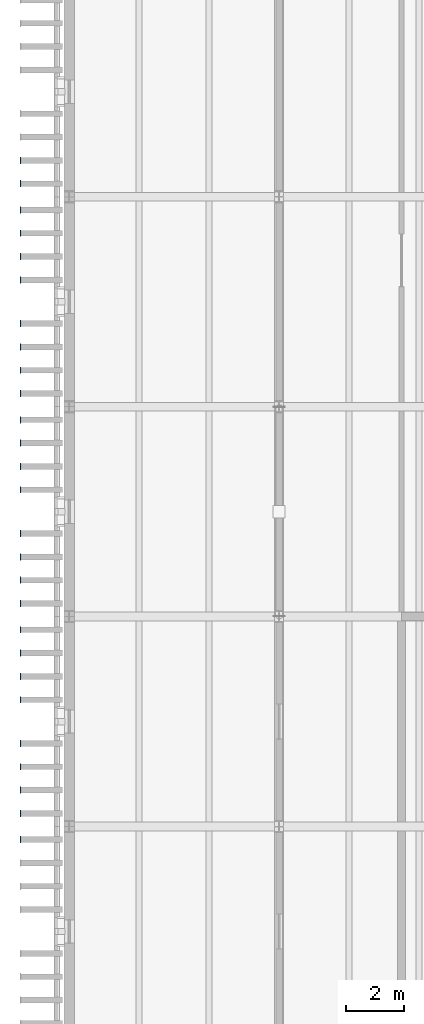
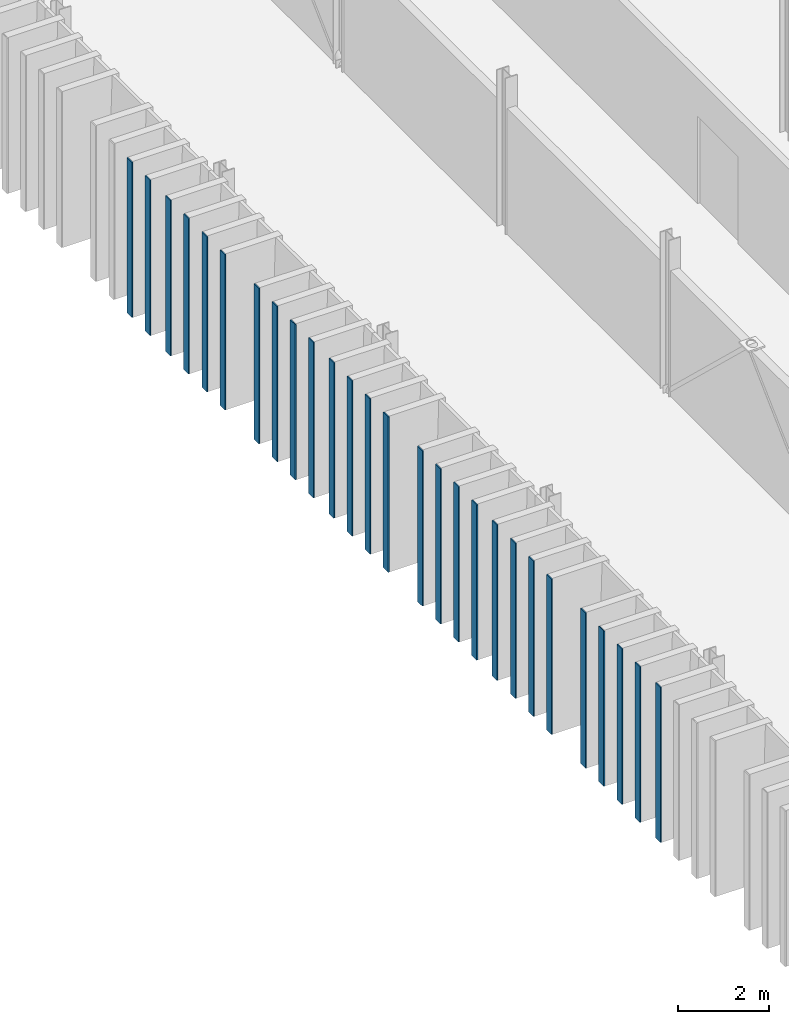
# One storey, part 26 of 66: 27 plates.
"""IFC4 building model written with IfcOpenShell, lengths in metres."""

from ifc_helpers import new_model, si_unit, direction, frame, origin, origin_2d, place, context, subcontext, project, spatial, rectangle, extrude, material, layer, layer_set, type_object, element, save


model = new_model("IFC4")

# Units and contexts
model_context = context("Model", 3, precision=1e-05, world=origin(), true_north=direction((0.0, 1.0)))
body_context = subcontext(model_context, "Body", "Model", "MODEL_VIEW")
ifc_project = project(units=[si_unit("LENGTHUNIT", "METRE"), si_unit("AREAUNIT", "SQUARE_METRE"), si_unit("VOLUMEUNIT", "CUBIC_METRE"), si_unit("PLANEANGLEUNIT", "RADIAN"), si_unit("MASSUNIT", "GRAM", prefix="KILO")], contexts=[model_context])

# Site, building, storey
site_placement = place(None, origin())
site = spatial("IfcSite", under=ifc_project, at=site_placement, CompositionType="ELEMENT")
building_placement = place(site_placement, origin())
building = spatial("IfcBuilding", under=site, at=building_placement, Name="Narikvali Park Central Library", CompositionType="ELEMENT")
storey_placement = place(building_placement, frame((0.0, 0.0, 18.60009765625)))
storey = spatial("IfcBuildingStorey", under=building, at=storey_placement, Name="L04", CompositionType="ELEMENT", Elevation=18.60009765625)

# Plates
ifc_material = material(Name="Anodised Bronze Aluminium", Category="aluminium")
ifc_layer = layer(ifc_material, 0.028076171875, Name="Anodised Bronze Aluminium")
ifc_layer_set = layer_set([ifc_layer], Name="Anodised Bronze Aluminium")
plate_type = type_object("IfcPlateType", Name="Vertical Brick Fin Bronze Bullnose Cap 28", PredefinedType="SHEET", material=ifc_layer_set)
for number, where, z_axis, x_axis, name in (
    (1, (-1.672119140625, 64.35009765625, 0.009765625), (0.0, 0.0, 1.0), (1.0, 0.0, 0.0), "West Stacks Fin Bullnose Trim 215"),
    (2, (-1.672119140625, 65.25, 0.009765625), (0.0, 0.0, 1.0), (1.0, 0.0, 0.0), "West Stacks Fin Bullnose Trim 221"),
    (3, (-1.672119140625, 66.050048828125, 0.009765625), (0.0, 0.0, 1.0), (1.0, 0.0, 0.0), "West Stacks Fin Bullnose Trim 227"),
    (4, (-1.672119140625, 66.85009765625, 0.009765625), (0.0, 0.0, 1.0), (1.0, 0.0, 0.0), "West Stacks Fin Bullnose Trim 233"),
    (5, (-1.672119140625, 67.64990234375, 0.009765625), (0.0, 0.0, 1.0), (1.0, 0.0, 0.0), "West Stacks Fin Bullnose Trim 239"),
    (6, (-1.672119140625, 69.14990234375, 0.009765625), (0.0, 0.0, 1.0), (1.0, 0.0, 0.0), "West Stacks Fin Bullnose Trim 245"),
    (7, (-1.672119140625, 69.949951171875, 0.009765625), (0.0, 0.0, 1.0), (1.0, 0.0, 0.0), "West Stacks Fin Bullnose Trim 251"),
    (8, (-1.672119140625, 70.75, 0.009765625), (0.0, 0.0, 1.0), (1.0, 0.0, 0.0), "West Stacks Fin Bullnose Trim 257"),
    (9, (-1.672119140625, 71.550048828125, 0.009765625), (0.0, 0.0, 1.0), (1.0, 0.0, 0.0), "West Stacks Fin Bullnose Trim 263"),
    (10, (-1.672119140625, 72.449951171875, 0.009765625), (0.0, 0.0, 1.0), (1.0, 0.0, 0.0), "West Stacks Fin Bullnose Trim 269"),
    (11, (-1.672119140625, 73.25, 0.009765625), (0.0, 0.0, 1.0), (1.0, 0.0, 0.0), "West Stacks Fin Bullnose Trim 275"),
    (12, (-1.672119140625, 74.050048828125, 0.009765625), (0.0, 0.0, 1.0), (1.0, 0.0, 0.0), "West Stacks Fin Bullnose Trim 281"),
    (13, (-1.672119140625, 74.85009765625, 0.009765625), (0.0, 0.0, 1.0), (1.0, 0.0, 0.0), "West Stacks Fin Bullnose Trim 287"),
    (14, (-1.672119140625, 76.35009765625, 0.009765625), (0.0, 0.0, 1.0), (1.0, 0.0, 0.0), "West Stacks Fin Bullnose Trim 293"),
    (15, (-1.672119140625, 77.14990234375, 0.009765625), (0.0, 0.0, 1.0), (1.0, 0.0, 0.0), "West Stacks Fin Bullnose Trim 299"),
    (16, (-1.672119140625, 77.949951171875, 0.009765625), (0.0, 0.0, 1.0), (1.0, 0.0, 0.0), "West Stacks Fin Bullnose Trim 305"),
    (17, (-1.672119140625, 78.75, 0.009765625), (0.0, 0.0, 1.0), (1.0, 0.0, 0.0), "West Stacks Fin Bullnose Trim 311"),
    (18, (-1.672119140625, 79.64990234375, 0.009765625), (0.0, 0.0, 1.0), (1.0, 0.0, 0.0), "West Stacks Fin Bullnose Trim 317"),
    (19, (-1.672119140625, 80.449951171875, 0.009765625), (0.0, 0.0, 1.0), (1.0, 0.0, 0.0), "West Stacks Fin Bullnose Trim 323"),
    (20, (-1.672119140625, 81.25, 0.009765625), (0.0, 0.0, 1.0), (1.0, 0.0, 0.0), "West Stacks Fin Bullnose Trim 329"),
    (21, (-1.672119140625, 82.050048828125, 0.009765625), (0.0, 0.0, 1.0), (1.0, 0.0, 0.0), "West Stacks Fin Bullnose Trim 335"),
    (22, (-1.672119140625, 83.550048828125, 0.009765625), (0.0, 0.0, 1.0), (1.0, 0.0, 0.0), "West Stacks Fin Bullnose Trim 341"),
    (23, (-1.672119140625, 84.35009765625, 0.009765625), (0.0, 0.0, 1.0), (1.0, 0.0, 0.0), "West Stacks Fin Bullnose Trim 347"),
    (24, (-1.672119140625, 85.14990234375, 0.009765625), (0.0, 0.0, 1.0), (1.0, 0.0, 0.0), "West Stacks Fin Bullnose Trim 353"),
    (25, (-1.672119140625, 85.949951171875, 0.009765625), (0.0, 0.0, 1.0), (1.0, 0.0, 0.0), "West Stacks Fin Bullnose Trim 359"),
    (26, (-1.672119140625, 86.85009765625, 0.009765625), (0.0, 0.0, 1.0), (1.0, 0.0, 0.0), "West Stacks Fin Bullnose Trim 365"),
    (27, (-1.672119140625, 87.64990234375, 0.009765625), (0.0, 0.0, 1.0), (1.0, 0.0, 0.0), "West Stacks Fin Bullnose Trim 371"),
):
    element("IfcPlate", number, at=place(storey_placement, frame(where, z_axis=z_axis, x_axis=x_axis)), inside=storey, type_object=plate_type, Name=name, PredefinedType="SHEET", context=body_context, shape_type="SweptSolid", body=[
        extrude(rectangle(XDim=0.028076171875, YDim=0.219970703125, at=origin_2d()), origin(), (0.0, 0.0, 1.0), 4.179931640625),
    ])

save(model, "model.ifc")
